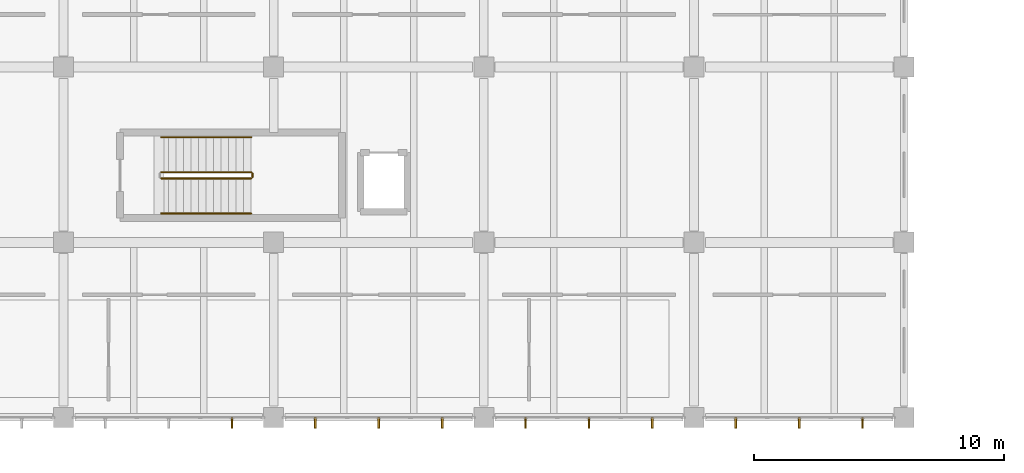
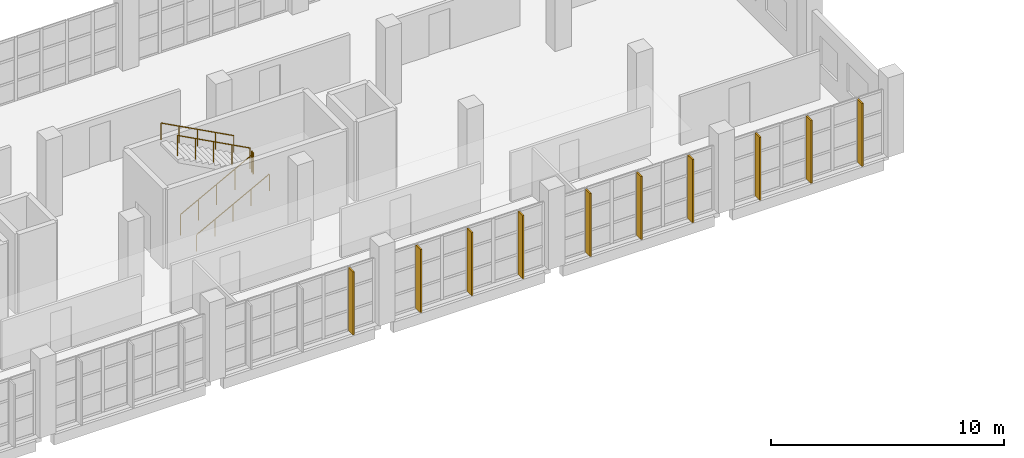
# One storey, part 163 of 177: 10 shading devices, 5 railings.
"""IFC4 building model written with IfcOpenShell, lengths in metres."""

from ifc_helpers import new_model, si_unit, direction, frame, origin, origin_2d, place, context, subcontext, project, spatial, rectangle, circle, extrude, material, type_object, element, save


model = new_model("IFC4")

# Units and contexts
model_context = context("Model", 3, precision=1e-05, world=origin(), true_north=direction((0.0, 1.0)))
body_context = subcontext(model_context, "Body", "Model", "MODEL_VIEW")
ifc_project = project(units=[si_unit("LENGTHUNIT", "METRE"), si_unit("AREAUNIT", "SQUARE_METRE"), si_unit("VOLUMEUNIT", "CUBIC_METRE"), si_unit("PLANEANGLEUNIT", "RADIAN"), si_unit("MASSUNIT", "GRAM", prefix="KILO"), si_unit("THERMODYNAMICTEMPERATUREUNIT", "KELVIN"), si_unit("POWERUNIT", "WATT")], contexts=[model_context])

# Site, building, storey
site_placement = place(None, origin())
site = spatial("IfcSite", under=ifc_project, at=site_placement, CompositionType="ELEMENT")
building_placement = place(site_placement, origin())
building = spatial("IfcBuilding", under=site, at=building_placement, Name="Mavoryth Pier Ferry Terminal", CompositionType="ELEMENT")
storey_placement = place(building_placement, frame((0.0, 0.0, 5.43994140625)))
storey = spatial("IfcBuildingStorey", under=building, at=storey_placement, Name="L01", CompositionType="ELEMENT", Elevation=5.43994140625)

# Shading devices
ifc_material_1 = material(Name="Anodised Aluminium Solar-Shading Fin", Category="aluminium")
shading_device_type = type_object("IfcShadingDeviceType", Name="Fin-BriseSoleil-400x75x3300", PredefinedType="SHUTTER", material=ifc_material_1)
for number, where, z_axis, x_axis, name in (
    (1, (65.533203125, -0.22412109375, 0.0), (0.0, 0.0, 1.0), (1.0, 0.0, 0.0), "Solar Shading Fin 90"),
    (2, (68.86669921875, -0.22412109375, 0.0), (0.0, 0.0, 1.0), (1.0, 0.0, 0.0), "Solar Shading Fin 91"),
    (3, (71.39990234375, -0.22412109375, 0.0), (0.0, 0.0, 1.0), (1.0, 0.0, 0.0), "Solar Shading Fin 92"),
    (4, (73.933349609375, -0.22412109375, 0.0), (0.0, 0.0, 1.0), (1.0, 0.0, 0.0), "Solar Shading Fin 93"),
    (5, (77.2666015625, -0.22412109375, 0.0), (0.0, 0.0, 1.0), (1.0, 0.0, 0.0), "Solar Shading Fin 94"),
    (6, (79.800048828125, -0.22412109375, 0.0), (0.0, 0.0, 1.0), (1.0, 0.0, 0.0), "Solar Shading Fin 95"),
    (7, (82.333251953125, -0.22412109375, 0.0), (0.0, 0.0, 1.0), (1.0, 0.0, 0.0), "Solar Shading Fin 96"),
    (8, (85.666748046875, -0.22412109375, 0.0), (0.0, 0.0, 1.0), (1.0, 0.0, 0.0), "Solar Shading Fin 97"),
    (9, (88.199951171875, -0.22412109375, 0.0), (0.0, 0.0, 1.0), (1.0, 0.0, 0.0), "Solar Shading Fin 98"),
    (10, (90.7333984375, -0.22412109375, 0.0), (0.0, 0.0, 1.0), (1.0, 0.0, 0.0), "Solar Shading Fin 99"),
):
    element("IfcShadingDevice", number, at=place(storey_placement, frame(where, z_axis=z_axis, x_axis=x_axis)), inside=storey, type_object=shading_device_type, Name=name, PredefinedType="SHUTTER", context=body_context, shape_type="SweptSolid", body=[
        extrude(rectangle(XDim=0.074951171875, YDim=0.39990234375, at=origin_2d()), origin(), (0.0, 0.0, 1.0), 3.300048828125),
    ])

# Railings
ifc_material_2 = material(Name="Painted Galvanised Steel Balustrade", Category="steel")
railing_type_1 = type_object("IfcRailingType", Name="Guard-Stair-Steel1100", PredefinedType="GUARDRAIL", material=ifc_material_2)
railing_1_placement = place(storey_placement, frame((62.699951171875, 9.550048828125, 0.16015625)))
element("IfcRailing", 11, at=railing_1_placement, inside=storey, type_object=railing_type_1, Name="L01 ST12 stair guard 1", PredefinedType="GUARDRAIL", context=body_context, shape_type="SweptSolid", body=[
    extrude(circle(Radius=0.02392578125, at=origin_2d()), frame((0.0, 0.0, 1.076171875), z_axis=(0.882366192074, 0.0, 0.470563389019), x_axis=(0.0, 1.0, 0.0)), (0.0, 0.0, 1.0), 4.080078125),
    extrude(circle(Radius=0.02099609375, at=origin_2d()), origin(), (0.0, 0.0, 1.0), 1.052001953125),
    extrude(circle(Radius=0.02099609375, at=origin_2d()), frame((0.89990234375, 0.0, 0.47998046875)), (0.0, 0.0, 1.0), 1.052001953125),
    extrude(circle(Radius=0.02099609375, at=origin_2d()), frame((1.800048828125, 0.0, 0.9599609375)), (0.0, 0.0, 1.0), 1.052001953125),
    extrude(circle(Radius=0.02099609375, at=origin_2d()), frame((2.7001953125, 0.0, 1.43994140625)), (0.0, 0.0, 1.0), 1.052001953125),
    extrude(circle(Radius=0.02099609375, at=origin_2d()), frame((3.60009765625, 0.0, 1.919921875)), (0.0, 0.0, 1.0), 1.052001953125),
])
railing_2_placement = place(storey_placement, frame((66.35009765625, 9.60009765625, 2.080078125)))
element("IfcRailing", 12, at=railing_2_placement, inside=storey, type_object=railing_type_1, Name="L01 ST12 stair guard 2", PredefinedType="GUARDRAIL", context=body_context, shape_type="SweptSolid", body=[
    extrude(circle(Radius=0.02392578125, at=origin_2d()), frame((0.0, 0.0, 1.076171875), z_axis=(0.0, 1.0, 0.0), x_axis=(-1.0, 0.0, 0.0)), (0.0, 0.0, 1.0), 0.14990234375),
    extrude(circle(Radius=0.02099609375, at=origin_2d()), origin(), (0.0, 0.0, 1.0), 1.052001953125),
    extrude(circle(Radius=0.02099609375, at=origin_2d()), frame((0.0, 0.14990234375, 0.0)), (0.0, 0.0, 1.0), 1.052001953125),
])
railing_3_placement = place(storey_placement, frame((66.300048828125, 9.800048828125, 2.239990234375)))
element("IfcRailing", 13, at=railing_3_placement, inside=storey, type_object=railing_type_1, Name="L01 ST12 stair guard 3", PredefinedType="GUARDRAIL", context=body_context, shape_type="SweptSolid", body=[
    extrude(circle(Radius=0.02392578125, at=origin_2d()), frame((0.0, 0.0, 1.076171875), z_axis=(-0.882341346394, 0.0, 0.470609974867), x_axis=(0.0, -1.0, 0.0)), (0.0, 0.0, 1.0), 4.080078125),
    extrude(circle(Radius=0.02099609375, at=origin_2d()), origin(), (0.0, 0.0, 1.0), 1.052001953125),
    extrude(circle(Radius=0.02099609375, at=origin_2d()), frame((-0.89990234375, 0.0, 0.47998046875)), (0.0, 0.0, 1.0), 1.052001953125),
    extrude(circle(Radius=0.02099609375, at=origin_2d()), frame((-1.800048828125, 0.0, 0.9599609375)), (0.0, 0.0, 1.0), 1.052001953125),
    extrude(circle(Radius=0.02099609375, at=origin_2d()), frame((-2.7001953125, 0.0, 1.440185546875)), (0.0, 0.0, 1.0), 1.052001953125),
    extrude(circle(Radius=0.02099609375, at=origin_2d()), frame((-3.60009765625, 0.0, 1.920166015625)), (0.0, 0.0, 1.0), 1.052001953125),
])
ifc_material_3 = material(Name="Brushed Stainless Steel Tubular Handrail", Category="steel")
railing_type_2 = type_object("IfcRailingType", Name="Handrail-Stair-SS900", PredefinedType="HANDRAIL", material=ifc_material_3)
railing_4_placement = place(storey_placement, frame((62.699951171875, 8.14990234375, 0.16015625)))
element("IfcRailing", 14, at=railing_4_placement, inside=storey, type_object=railing_type_2, Name="L01 ST12 stair handrail 1", PredefinedType="HANDRAIL", context=body_context, shape_type="SweptSolid", body=[
    extrude(circle(Radius=0.02392578125, at=origin_2d()), frame((0.0, 0.0, 0.8759765625), z_axis=(0.882366192074, 0.0, 0.470563389019), x_axis=(0.0, 1.0, 0.0)), (0.0, 0.0, 1.0), 4.080078125),
    extrude(circle(Radius=0.02099609375, at=origin_2d()), origin(), (0.0, 0.0, 1.0), 0.851806640625),
    extrude(circle(Radius=0.02099609375, at=origin_2d()), frame((0.89990234375, 0.0, 0.47998046875)), (0.0, 0.0, 1.0), 0.851806640625),
    extrude(circle(Radius=0.02099609375, at=origin_2d()), frame((1.800048828125, 0.0, 0.9599609375)), (0.0, 0.0, 1.0), 0.851806640625),
    extrude(circle(Radius=0.02099609375, at=origin_2d()), frame((2.7001953125, 0.0, 1.43994140625)), (0.0, 0.0, 1.0), 0.851806640625),
    extrude(circle(Radius=0.02099609375, at=origin_2d()), frame((3.60009765625, 0.0, 1.919921875)), (0.0, 0.0, 1.0), 0.851806640625),
])
railing_5_placement = place(storey_placement, frame((66.300048828125, 11.199951171875, 2.239990234375)))
element("IfcRailing", 15, at=railing_5_placement, inside=storey, type_object=railing_type_2, Name="L01 ST12 stair handrail 2", PredefinedType="HANDRAIL", context=body_context, shape_type="SweptSolid", body=[
    extrude(circle(Radius=0.02392578125, at=origin_2d()), frame((0.0, 0.0, 0.8759765625), z_axis=(-0.882341346394, 0.0, 0.470609974867), x_axis=(0.0, -1.0, 0.0)), (0.0, 0.0, 1.0), 4.080078125),
    extrude(circle(Radius=0.02099609375, at=origin_2d()), origin(), (0.0, 0.0, 1.0), 0.851806640625),
    extrude(circle(Radius=0.02099609375, at=origin_2d()), frame((-0.89990234375, 0.0, 0.47998046875)), (0.0, 0.0, 1.0), 0.851806640625),
    extrude(circle(Radius=0.02099609375, at=origin_2d()), frame((-1.800048828125, 0.0, 0.9599609375)), (0.0, 0.0, 1.0), 0.851806640625),
    extrude(circle(Radius=0.02099609375, at=origin_2d()), frame((-2.7001953125, 0.0, 1.440185546875)), (0.0, 0.0, 1.0), 0.851806640625),
    extrude(circle(Radius=0.02099609375, at=origin_2d()), frame((-3.60009765625, 0.0, 1.920166015625)), (0.0, 0.0, 1.0), 0.851806640625),
])

save(model, "model.ifc")
